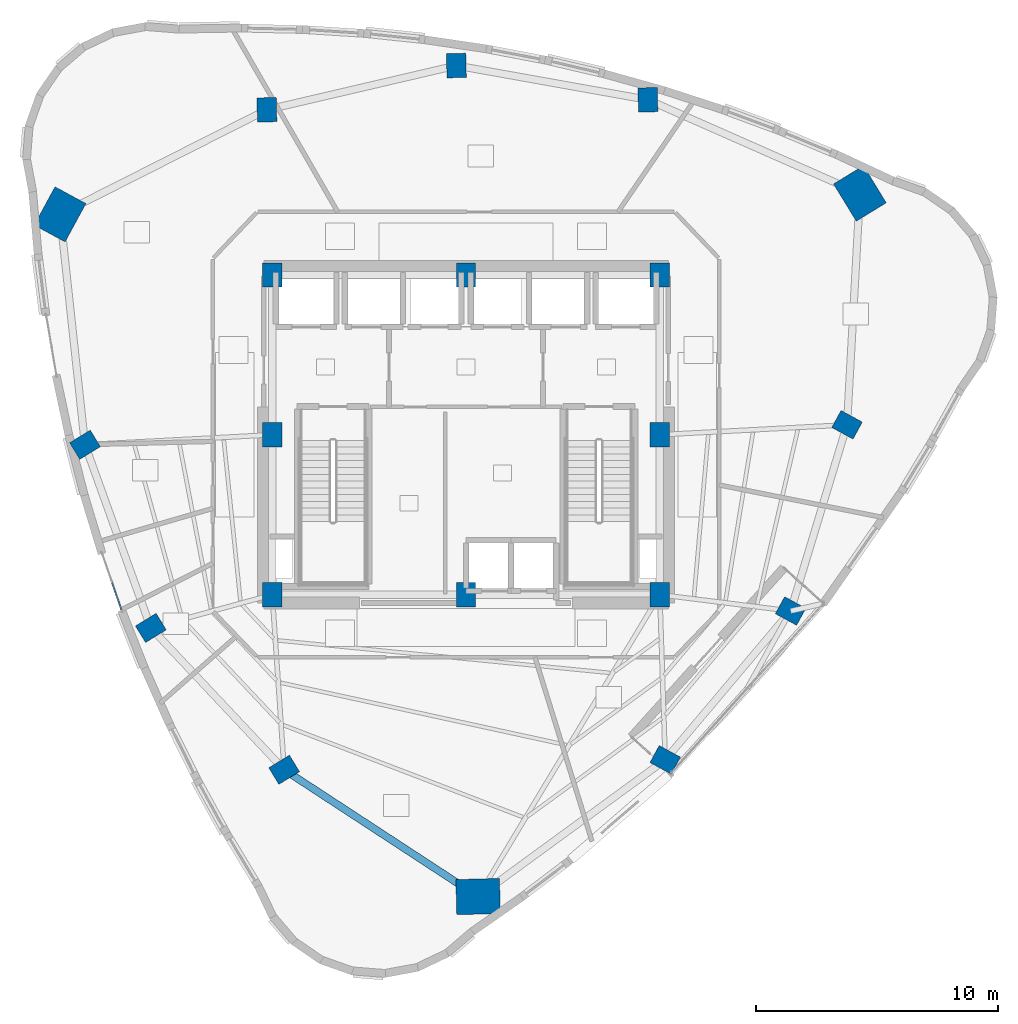
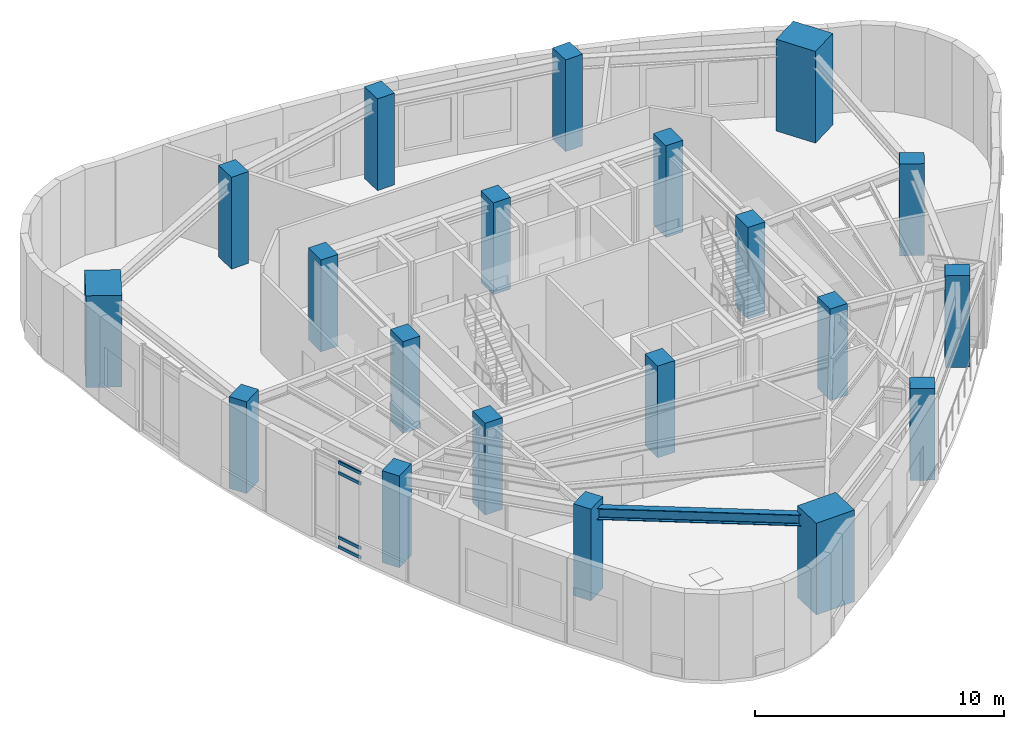
# One storey, part 1 of 18: 20 columns, 4 members, 1 beam, 1 element without a shape of its own.
"""IFC4 building model written with IfcOpenShell, lengths in metres."""

from ifc_helpers import new_model, si_unit, direction, frame, origin, origin_2d, place, context, subcontext, project, spatial, rectangle, hollow_rectangle, i_section, extrude, material, layer, layer_set, material_profile, profile_set, type_object, element, aggregate, save


model = new_model("IFC4")

# Units and contexts
model_context = context("Model", 3, precision=1e-05, world=origin(), true_north=direction((0.0, 1.0)))
body_context = subcontext(model_context, "Body", "Model", "MODEL_VIEW")
ifc_project = project(units=[si_unit("LENGTHUNIT", "METRE"), si_unit("AREAUNIT", "SQUARE_METRE"), si_unit("VOLUMEUNIT", "CUBIC_METRE"), si_unit("PLANEANGLEUNIT", "RADIAN"), si_unit("MASSUNIT", "GRAM", prefix="KILO")], contexts=[model_context])

# Site, building, storey
site_placement = place(None, origin())
site = spatial("IfcSite", under=ifc_project, at=site_placement, CompositionType="ELEMENT")
building_placement = place(site_placement, origin())
building = spatial("IfcBuilding", under=site, at=building_placement, Name="Ndelora Gate Hotel", CompositionType="ELEMENT")
storey_placement = place(building_placement, frame((0.0, 0.0, 173.75)))
storey = spatial("IfcBuildingStorey", under=building, at=storey_placement, Name="L43", CompositionType="ELEMENT", Elevation=173.75)

# Columns
ifc_material_1 = material(Name="Concrete C50/60", Category="concrete")
ifc_material_profile_1 = material_profile(ifc_material_1, rectangle(XDim=0.800048828125, YDim=1.0, at=origin_2d()), Name="RC 1000x800")
ifc_profile_set_1 = profile_set([ifc_material_profile_1], Name="Concrete C50/60")
column_type_1 = type_object("IfcColumnType", Name="COL-CC-HI", PredefinedType="COLUMN", material=ifc_profile_set_1)
for number, where, z_axis, x_axis, name in (
    (1, (-8.0, -6.60009765625, 0.0), (0.0, 0.0, 1.0), (1.0, 0.0, 0.0), "L43 Core Column CC1"),
    (2, (0.0, -6.60009765625, 0.0), (0.0, 0.0, 1.0), (1.0, 0.0, 0.0), "L43 Core Column CC2"),
    (3, (8.0, -6.60009765625, 0.0), (0.0, 0.0, 1.0), (1.0, 0.0, 0.0), "L43 Core Column CC3"),
    (4, (8.0, 0.0, 0.0), (0.0, 0.0, 1.0), (1.0, 0.0, 0.0), "L43 Core Column CC4"),
    (5, (8.0, 6.60009765625, 0.0), (0.0, 0.0, 1.0), (1.0, 0.0, 0.0), "L43 Core Column CC5"),
    (6, (0.0, 6.60009765625, 0.0), (0.0, 0.0, 1.0), (1.0, 0.0, 0.0), "L43 Core Column CC6"),
    (7, (-8.0, 6.60009765625, 0.0), (0.0, 0.0, 1.0), (1.0, 0.0, 0.0), "L43 Core Column CC7"),
    (8, (-8.0, 0.0, 0.0), (0.0, 0.0, 1.0), (1.0, 0.0, 0.0), "L43 Core Column CC8"),
):
    element("IfcColumn", number, at=place(storey_placement, frame(where, z_axis=z_axis, x_axis=x_axis)), inside=storey, type_object=column_type_1, Name=name, PredefinedType="COLUMN", context=body_context, shape_type="SweptSolid", body=[
        extrude(rectangle(XDim=0.800048828125, YDim=1.0, at=origin_2d()), origin(), (0.0, 0.0, 1.0), 4.5),
    ])
ifc_material_profile_2 = material_profile(ifc_material_1, rectangle(XDim=1.449951171875, YDim=1.800048828125, at=origin_2d()), Name="RC 1800x1450")
ifc_profile_set_2 = profile_set([ifc_material_profile_2], Name="Concrete C50/60")
column_type_2 = type_object("IfcColumnType", Name="COL-MC-Z3", PredefinedType="COLUMN", material=ifc_profile_set_2)
for number, where, z_axis, x_axis, name in (
    (9, (-16.759521484375, 9.099609375, 0.0), (0.0, 0.0, 1.0), (-0.878817112662, 0.47715876026, 0.0), "L43 Corner Mega-Column R1"),
    (10, (0.499267578125, -19.064208984375, 0.0), (0.0, 0.0, 1.0), (-0.026176948308, 0.999657324976, 0.0), "L43 Corner Mega-Column R5"),
    (11, (16.26025390625, 9.96435546875, 0.0), (0.0, 0.0, 1.0), (0.852640164354, 0.522498564716, 0.0), "L43 Corner Mega-Column R9"),
):
    element("IfcColumn", number, at=place(storey_placement, frame(where, z_axis=z_axis, x_axis=x_axis)), inside=storey, type_object=column_type_2, Name=name, PredefinedType="COLUMN", context=body_context, shape_type="SweptSolid", body=[
        extrude(rectangle(XDim=1.449951171875, YDim=1.800048828125, at=origin_2d()), origin(), (0.0, 0.0, 1.0), 4.5),
    ])
ifc_material_profile_3 = material_profile(ifc_material_1, rectangle(XDim=0.800048828125, YDim=1.0, at=origin_2d()), Name="RC 1000x800")
ifc_profile_set_3 = profile_set([ifc_material_profile_3], Name="Concrete C50/60")
column_type_3 = type_object("IfcColumnType", Name="COL-PT-Z3", PredefinedType="COLUMN", material=ifc_profile_set_3)
for number, where, z_axis, x_axis, name in (
    (12, (-15.72998046875, -0.411865234375, 0.0), (0.0, 0.0, 1.0), (-0.522498564716, 0.852640164354, 0.0), "L43 Perimeter Tube Column R2"),
    (13, (-13.011962890625, -7.973876953125, 0.0), (0.0, 0.0, 1.0), (-0.522498564716, 0.852640164354, 0.0), "L43 Perimeter Tube Column R3"),
    (14, (-7.50830078125, -13.828369140625, 0.0), (0.0, 0.0, 1.0), (-0.522498564716, 0.852640164354, 0.0), "L43 Perimeter Tube Column R4"),
    (15, (8.223876953125, -13.419921875, 0.0), (0.0, 0.0, 1.0), (0.47715876026, 0.878817112662, 0.0), "L43 Perimeter Tube Column R6"),
    (16, (13.400390625, -7.275634765625, 0.0), (0.0, 0.0, 1.0), (0.47715876026, 0.878817112662, 0.0), "L43 Perimeter Tube Column R7"),
    (17, (15.72998046875, 0.411865234375, 0.0), (0.0, 0.0, 1.0), (0.47715876026, 0.878817112662, 0.0), "L43 Perimeter Tube Column R8"),
    (18, (7.50830078125, 13.828369140625, 0.0), (0.0, 0.0, 1.0), (0.999657324976, 0.026176948308, 0.0), "L43 Perimeter Tube Column R10"),
    (19, (-0.399169921875, 15.242919921875, 0.0), (0.0, 0.0, 1.0), (0.999657324976, 0.026176948308, 0.0), "L43 Perimeter Tube Column R11"),
    (20, (-8.2216796875, 13.41650390625, 0.0), (0.0, 0.0, 1.0), (0.999657324976, 0.026176948308, 0.0), "L43 Perimeter Tube Column R12"),
):
    element("IfcColumn", number, at=place(storey_placement, frame(where, z_axis=z_axis, x_axis=x_axis)), inside=storey, type_object=column_type_3, Name=name, PredefinedType="COLUMN", context=body_context, shape_type="SweptSolid", body=[
        extrude(rectangle(XDim=0.800048828125, YDim=1.0, at=origin_2d()), origin(), (0.0, 0.0, 1.0), 4.5),
    ])

# Beam
ifc_material_2 = material(Name="Steel S355", Category="steel")
ifc_material_profile_4 = material_profile(ifc_material_2, i_section(OverallWidth=0.300048828125, OverallDepth=0.550048828125, WebThickness=0.014892578125, FlangeThickness=0.029052734375, FilletRadius=0.027099609375, at=origin_2d()), Name="HEB 550")
ifc_profile_set_4 = profile_set([ifc_material_profile_4], Name="Steel S355")
beam_type = type_object("IfcBeamType", Name="BM-RING-550", PredefinedType="SPANDREL", material=ifc_profile_set_4)
beam_placement = place(storey_placement, frame((-7.50830078125, -13.828369140625, 3.93505859375), z_axis=(0.836963769915, -0.547258300851, 0.0), x_axis=(0.547258300851, 0.836963769915, 0.0)))
element("IfcBeam", 21, at=beam_placement, inside=storey, type_object=beam_type, Name="L43 Perimeter Spandrel Girder 4", PredefinedType="SPANDREL", context=body_context, shape_type="SweptSolid", body=[
    extrude(i_section(OverallWidth=0.300048828125, OverallDepth=0.550048828125, WebThickness=0.014892578125, FlangeThickness=0.029052734375, FilletRadius=0.027099609375, at=origin_2d()), origin(), (0.0, 0.0, 1.0), 9.5673828125),
])

# Curtain wall, members
ifc_material_3 = material(Name="Bronze Anodised Unitised Aluminium and Low-E Glass", Category="aluminium")
ifc_layer = layer(ifc_material_3, 0.2099609375)
ifc_layer_set = layer_set([ifc_layer], Name="Bronze Anodised Unitised Aluminium and Low-E Glass")
curtain_wall_type = type_object("IfcCurtainWallType", Name="CW-SYS-5", PredefinedType="NOTDEFINED", material=ifc_layer_set)
curtain_wall_placement = place(storey_placement, origin())
curtain_wall = element("IfcCurtainWall", 22, at=curtain_wall_placement, inside=storey, type_object=curtain_wall_type, Name="L43 Upper Sky-Lobby & Altitude Fitness Curtain Wall 2", PredefinedType="NOTDEFINED")
ifc_material_4 = material(Name="Bronze Anodised Aluminium 6063-T6", Category="aluminium")
ifc_material_profile_5 = material_profile(ifc_material_4, hollow_rectangle(XDim=0.06494140625, YDim=0.159912109375, WallThickness=0.00390625, InnerFilletRadius=0.00390625, OuterFilletRadius=0.008056640625, at=origin_2d()), Name="ALU 160x65x4")
ifc_profile_set_5 = profile_set([ifc_material_profile_5], Name="Bronze Anodised Aluminium 6063-T6")
member_type = type_object("IfcMemberType", Name="MB-CW-TRN150", PredefinedType="USERDEFINED", material=ifc_profile_set_5)
member_1_placement = place(storey_placement, frame((-14.61767578125, -6.099853515625, 0.032470703125), z_axis=(0.328973164345, -0.944339270146, 0.0), x_axis=(0.944339270146, 0.328973164345, 0.0)))
member_1 = element("IfcMember", 23, at=member_1_placement, type_object=member_type, Name="CW5 transom 2.1", ObjectType="TRANSOM", PredefinedType="USERDEFINED", context=body_context, shape_type="SweptSolid", body=[
    extrude(hollow_rectangle(XDim=0.06494140625, YDim=0.159912109375, WallThickness=0.00390625, InnerFilletRadius=0.00390625, OuterFilletRadius=0.008056640625, at=origin_2d()), origin(), (0.0, 0.0, 1.0), 1.192626953125),
])
member_2_placement = place(storey_placement, frame((-14.61767578125, -6.099853515625, 0.5), z_axis=(0.328973164345, -0.944339270146, 0.0), x_axis=(0.944339270146, 0.328973164345, 0.0)))
member_2 = element("IfcMember", 24, at=member_2_placement, type_object=member_type, Name="CW5 transom 2.2", ObjectType="TRANSOM", PredefinedType="USERDEFINED", context=body_context, shape_type="SweptSolid", body=[
    extrude(hollow_rectangle(XDim=0.06494140625, YDim=0.159912109375, WallThickness=0.00390625, InnerFilletRadius=0.00390625, OuterFilletRadius=0.008056640625, at=origin_2d()), origin(), (0.0, 0.0, 1.0), 1.192626953125),
])
member_3_placement = place(storey_placement, frame((-14.61767578125, -6.099853515625, 3.659912109375), z_axis=(0.328973164345, -0.944339270146, 0.0), x_axis=(0.944339270146, 0.328973164345, 0.0)))
member_3 = element("IfcMember", 25, at=member_3_placement, type_object=member_type, Name="CW5 transom 2.3", ObjectType="TRANSOM", PredefinedType="USERDEFINED", context=body_context, shape_type="SweptSolid", body=[
    extrude(hollow_rectangle(XDim=0.06494140625, YDim=0.159912109375, WallThickness=0.00390625, InnerFilletRadius=0.00390625, OuterFilletRadius=0.008056640625, at=origin_2d()), origin(), (0.0, 0.0, 1.0), 1.192626953125),
])
member_4_placement = place(storey_placement, frame((-14.61767578125, -6.099853515625, 4.177490234375), z_axis=(0.328973164345, -0.944339270146, 0.0), x_axis=(0.944339270146, 0.328973164345, 0.0)))
member_4 = element("IfcMember", 26, at=member_4_placement, type_object=member_type, Name="CW5 transom 2.4", ObjectType="TRANSOM", PredefinedType="USERDEFINED", context=body_context, shape_type="SweptSolid", body=[
    extrude(hollow_rectangle(XDim=0.06494140625, YDim=0.159912109375, WallThickness=0.00390625, InnerFilletRadius=0.00390625, OuterFilletRadius=0.008056640625, at=origin_2d()), origin(), (0.0, 0.0, 1.0), 1.192626953125),
])
aggregate(curtain_wall, [member_1, member_2, member_3, member_4])

save(model, "model.ifc")
